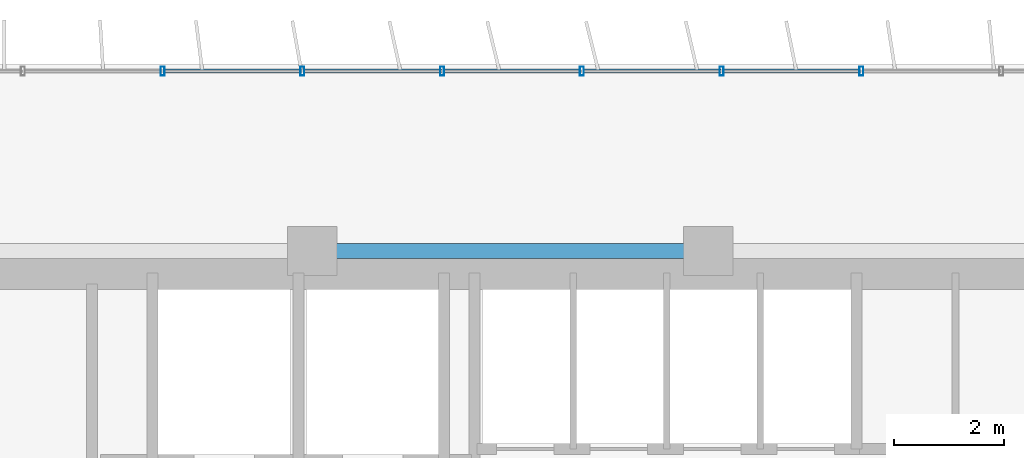
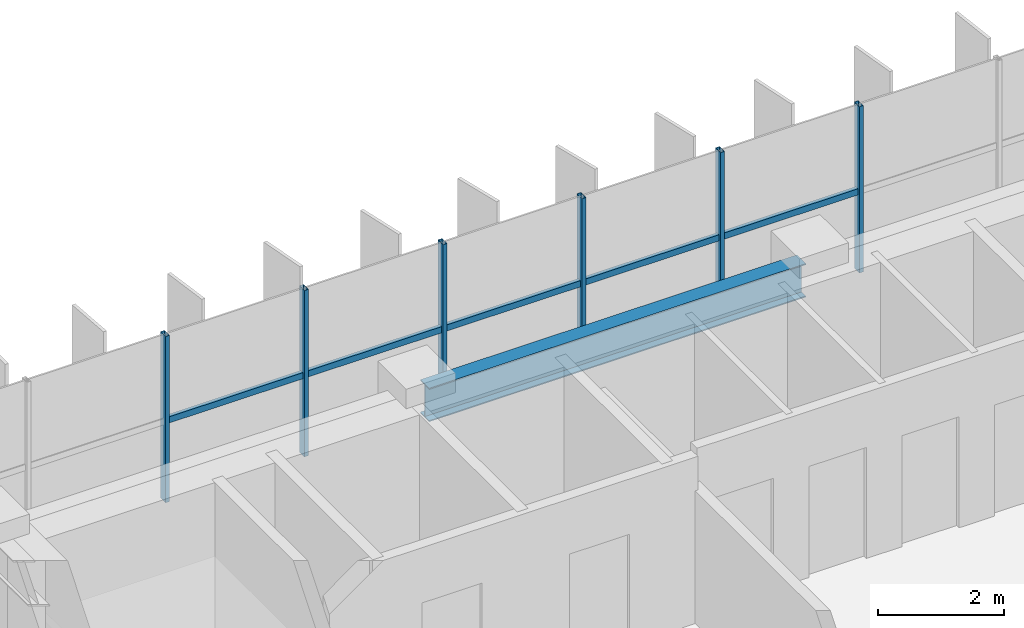
# One storey, part 10 of 25: 11 members, 1 beam, 1 element without a shape of its own.
"""IFC4 building model written with IfcOpenShell, lengths in metres."""

from ifc_helpers import new_model, si_unit, direction, frame, origin, origin_2d, place, context, subcontext, project, spatial, hollow_rectangle, i_section, extrude, source, transform, mapped, material, material_profile, profile_set, type_object, element, aggregate, save


model = new_model("IFC4")

# Units and contexts
model_context = context("Model", 3, precision=1e-05, world=origin(), true_north=direction((0.0, 1.0)))
body_context = subcontext(model_context, "Body", "Model", "MODEL_VIEW")
ifc_project = project(units=[si_unit("LENGTHUNIT", "METRE"), si_unit("AREAUNIT", "SQUARE_METRE"), si_unit("VOLUMEUNIT", "CUBIC_METRE"), si_unit("PLANEANGLEUNIT", "RADIAN"), si_unit("MASSUNIT", "GRAM", prefix="KILO")], contexts=[model_context])

# Site, building, storey
site_placement = place(None, origin())
site = spatial("IfcSite", under=ifc_project, at=site_placement, CompositionType="ELEMENT")
building_placement = place(site_placement, origin())
building = spatial("IfcBuilding", under=site, at=building_placement, Name="Trelvane Seafront Commons", CompositionType="ELEMENT")
storey_placement = place(building_placement, frame((0.0, 0.0, 70.300048828125)))
storey = spatial("IfcBuildingStorey", under=building, at=storey_placement, Name="L18", CompositionType="ELEMENT", Elevation=70.300048828125)

# Beam
ifc_material_1 = material(Name="Steel SM355 (S355)", Category="steel")
ifc_material_profile_1 = material_profile(ifc_material_1, i_section(OverallWidth=0.280029296875, OverallDepth=0.64990234375, WebThickness=0.012939453125, FlangeThickness=0.02197265625, at=origin_2d()), Name="H-650x280x13x22")
ifc_profile_set_1 = profile_set([ifc_material_profile_1], Name="Steel SM355 (S355)")
beam_type = type_object("IfcBeamType", Name="STR-BM-H650", PredefinedType="BEAM", material=ifc_profile_set_1)
shared_shape_1 = source(origin(), body_context, "Body", "SweptSolid", [
    extrude(i_section(OverallWidth=0.280029296875, OverallDepth=0.64990234375, WebThickness=0.012939453125, FlangeThickness=0.02197265625, at=origin_2d()), origin(), (0.0, 0.0, 1.0), 6.89990234375),
])
beam_placement = place(storey_placement, frame((23.550048828125, 45.10009765625, 2.89501953125), z_axis=(1.0, 0.0, 0.0), x_axis=(0.0, 1.0, 0.0)))
element("IfcBeam", 1, at=beam_placement, inside=storey, type_object=beam_type, Name="L18 Primary Girder G-31", PredefinedType="BEAM", context=body_context, shape_type="MappedRepresentation", body=[
    mapped(shared_shape_1, transform((0.0, 0.0, 0.0), x_axis=(1.0, 0.0, 0.0), y_axis=(0.0, 1.0, 0.0), z_axis=(0.0, 0.0, 1.0), scale=1.0)),
])

# Curtain wall, members
ifc_material_2 = material(Name="Anodised pale-silver aluminium", Category="aluminium")
curtain_wall_type = type_object("IfcCurtainWallType", Name="ARCH-CW2-LOWTOWER", PredefinedType="NOTDEFINED", material=ifc_material_2)
curtain_wall_placement = place(storey_placement, origin())
curtain_wall = element("IfcCurtainWall", 2, at=curtain_wall_placement, inside=storey, type_object=curtain_wall_type, Name="CW-L18-0043", PredefinedType="NOTDEFINED")
ifc_material_profile_2 = material_profile(ifc_material_2, hollow_rectangle(XDim=0.070068359375, YDim=0.1201171875, WallThickness=0.00390625, at=origin_2d()), Name="TRAN-70x120x4")
ifc_profile_set_2 = profile_set([ifc_material_profile_2], Name="Anodised pale-silver aluminium")
member_type_1 = type_object("IfcMemberType", Name="ARCH-CW-TRAN-120", PredefinedType="USERDEFINED", material=ifc_profile_set_2)
shared_shape_2 = source(origin(), body_context, "Body", "SweptSolid", [
    extrude(hollow_rectangle(XDim=0.070068359375, YDim=0.1201171875, WallThickness=0.00390625, at=origin_2d()), origin(), (0.0, 0.0, 1.0), 2.51708984375),
])
member_1_placement = place(storey_placement, frame((20.6943359375, 48.3701171875, 1.5458984375), z_axis=(1.0, 0.0, 0.0), x_axis=(0.0, 1.0, 0.0)))
member_1 = element("IfcMember", 3, at=member_1_placement, type_object=member_type_1, Name="CW-L18-0043-T02", ObjectType="TRANSOM", PredefinedType="USERDEFINED", context=body_context, shape_type="MappedRepresentation", body=[
    mapped(shared_shape_2, transform((0.0, 0.0, 0.0), x_axis=(1.0, 0.0, 0.0), y_axis=(0.0, 1.0, 0.0), z_axis=(0.0, 0.0, 1.0), scale=1.0)),
])
member_2_placement = place(storey_placement, frame((23.235595703125, 48.3701171875, 1.5458984375), z_axis=(1.0, 0.0, 0.0), x_axis=(0.0, 1.0, 0.0)))
member_2 = element("IfcMember", 4, at=member_2_placement, type_object=member_type_1, Name="CW-L18-0043-T03", ObjectType="TRANSOM", PredefinedType="USERDEFINED", context=body_context, shape_type="MappedRepresentation", body=[
    mapped(shared_shape_2, transform((0.0, 0.0, 0.0), x_axis=(1.0, 0.0, 0.0), y_axis=(0.0, 1.0, 0.0), z_axis=(0.0, 0.0, 1.0), scale=1.0)),
])
member_3_placement = place(storey_placement, frame((30.859130859375, 48.3701171875, 1.5458984375), z_axis=(1.0, 0.0, 0.0), x_axis=(0.0, 1.0, 0.0)))
member_3 = element("IfcMember", 5, at=member_3_placement, type_object=member_type_1, Name="CW-L18-0043-T06", ObjectType="TRANSOM", PredefinedType="USERDEFINED", context=body_context, shape_type="MappedRepresentation", body=[
    mapped(shared_shape_2, transform((0.0, 0.0, 0.0), x_axis=(1.0, 0.0, 0.0), y_axis=(0.0, 1.0, 0.0), z_axis=(0.0, 0.0, 1.0), scale=1.0)),
])
shared_shape_3 = source(origin(), body_context, "Body", "SweptSolid", [
    extrude(hollow_rectangle(XDim=0.070068359375, YDim=0.1201171875, WallThickness=0.00390625, at=origin_2d()), origin(), (0.0, 0.0, 1.0), 2.517333984375),
])
member_4_placement = place(storey_placement, frame((25.776611328125, 48.3701171875, 1.5458984375), z_axis=(1.0, 0.0, 0.0), x_axis=(0.0, 1.0, 0.0)))
member_4 = element("IfcMember", 6, at=member_4_placement, type_object=member_type_1, Name="CW-L18-0043-T04", ObjectType="TRANSOM", PredefinedType="USERDEFINED", context=body_context, shape_type="MappedRepresentation", body=[
    mapped(shared_shape_3, transform((0.0, 0.0, 0.0), x_axis=(1.0, 0.0, 0.0), y_axis=(0.0, 1.0, 0.0), z_axis=(0.0, 0.0, 1.0), scale=1.0)),
])
member_5_placement = place(storey_placement, frame((28.31787109375, 48.3701171875, 1.5458984375), z_axis=(1.0, 0.0, 0.0), x_axis=(0.0, 1.0, 0.0)))
member_5 = element("IfcMember", 7, at=member_5_placement, type_object=member_type_1, Name="CW-L18-0043-T05", ObjectType="TRANSOM", PredefinedType="USERDEFINED", context=body_context, shape_type="MappedRepresentation", body=[
    mapped(shared_shape_3, transform((0.0, 0.0, 0.0), x_axis=(1.0, 0.0, 0.0), y_axis=(0.0, 1.0, 0.0), z_axis=(0.0, 0.0, 1.0), scale=1.0)),
])
ifc_material_profile_3 = material_profile(ifc_material_2, hollow_rectangle(XDim=0.074951171875, YDim=0.159912109375, WallThickness=0.00390625, at=origin_2d()), Name="MULL-75x160x4")
ifc_profile_set_3 = profile_set([ifc_material_profile_3], Name="Anodised pale-silver aluminium")
member_type_2 = type_object("IfcMemberType", Name="ARCH-CW-MULL-160", PredefinedType="MULLION", material=ifc_profile_set_3)
shared_shape_4 = source(origin(), body_context, "Body", "SweptSolid", [
    extrude(hollow_rectangle(XDim=0.074951171875, YDim=0.159912109375, WallThickness=0.00390625, at=origin_2d()), origin(), (0.0, 0.0, 1.0), 3.219970703125),
])
member_6_placement = place(storey_placement, frame((20.682373046875, 48.3701171875, 0.0), z_axis=(0.0, 0.0, 1.0), x_axis=(1.0, 0.0, 0.0)))
member_6 = element("IfcMember", 8, at=member_6_placement, type_object=member_type_2, Name="CW-L18-0043-M02", PredefinedType="MULLION", context=body_context, shape_type="MappedRepresentation", body=[
    mapped(shared_shape_4, transform((0.0, 0.0, 0.0), x_axis=(1.0, 0.0, 0.0), y_axis=(0.0, 1.0, 0.0), z_axis=(0.0, 0.0, 1.0), scale=1.0)),
])
member_7_placement = place(storey_placement, frame((23.223388671875, 48.3701171875, 0.0), z_axis=(0.0, 0.0, 1.0), x_axis=(1.0, 0.0, 0.0)))
member_7 = element("IfcMember", 9, at=member_7_placement, type_object=member_type_2, Name="CW-L18-0043-M03", PredefinedType="MULLION", context=body_context, shape_type="MappedRepresentation", body=[
    mapped(shared_shape_4, transform((0.0, 0.0, 0.0), x_axis=(1.0, 0.0, 0.0), y_axis=(0.0, 1.0, 0.0), z_axis=(0.0, 0.0, 1.0), scale=1.0)),
])
member_8_placement = place(storey_placement, frame((25.7646484375, 48.3701171875, 0.0), z_axis=(0.0, 0.0, 1.0), x_axis=(1.0, 0.0, 0.0)))
member_8 = element("IfcMember", 10, at=member_8_placement, type_object=member_type_2, Name="CW-L18-0043-M04", PredefinedType="MULLION", context=body_context, shape_type="MappedRepresentation", body=[
    mapped(shared_shape_4, transform((0.0, 0.0, 0.0), x_axis=(1.0, 0.0, 0.0), y_axis=(0.0, 1.0, 0.0), z_axis=(0.0, 0.0, 1.0), scale=1.0)),
])
member_9_placement = place(storey_placement, frame((28.305908203125, 48.3701171875, 0.0), z_axis=(0.0, 0.0, 1.0), x_axis=(1.0, 0.0, 0.0)))
member_9 = element("IfcMember", 11, at=member_9_placement, type_object=member_type_2, Name="CW-L18-0043-M05", PredefinedType="MULLION", context=body_context, shape_type="MappedRepresentation", body=[
    mapped(shared_shape_4, transform((0.0, 0.0, 0.0), x_axis=(1.0, 0.0, 0.0), y_axis=(0.0, 1.0, 0.0), z_axis=(0.0, 0.0, 1.0), scale=1.0)),
])
member_10_placement = place(storey_placement, frame((30.84716796875, 48.3701171875, 0.0), z_axis=(0.0, 0.0, 1.0), x_axis=(1.0, 0.0, 0.0)))
member_10 = element("IfcMember", 12, at=member_10_placement, type_object=member_type_2, Name="CW-L18-0043-M06", PredefinedType="MULLION", context=body_context, shape_type="MappedRepresentation", body=[
    mapped(shared_shape_4, transform((0.0, 0.0, 0.0), x_axis=(1.0, 0.0, 0.0), y_axis=(0.0, 1.0, 0.0), z_axis=(0.0, 0.0, 1.0), scale=1.0)),
])
member_11_placement = place(storey_placement, frame((33.38818359375, 48.3701171875, 0.0), z_axis=(0.0, 0.0, 1.0), x_axis=(1.0, 0.0, 0.0)))
member_11 = element("IfcMember", 13, at=member_11_placement, type_object=member_type_2, Name="CW-L18-0043-M07", PredefinedType="MULLION", context=body_context, shape_type="MappedRepresentation", body=[
    mapped(shared_shape_4, transform((0.0, 0.0, 0.0), x_axis=(1.0, 0.0, 0.0), y_axis=(0.0, 1.0, 0.0), z_axis=(0.0, 0.0, 1.0), scale=1.0)),
])
aggregate(curtain_wall, [member_6, member_7, member_8, member_9, member_10, member_11, member_1, member_2, member_4, member_5, member_3])

save(model, "model.ifc")
